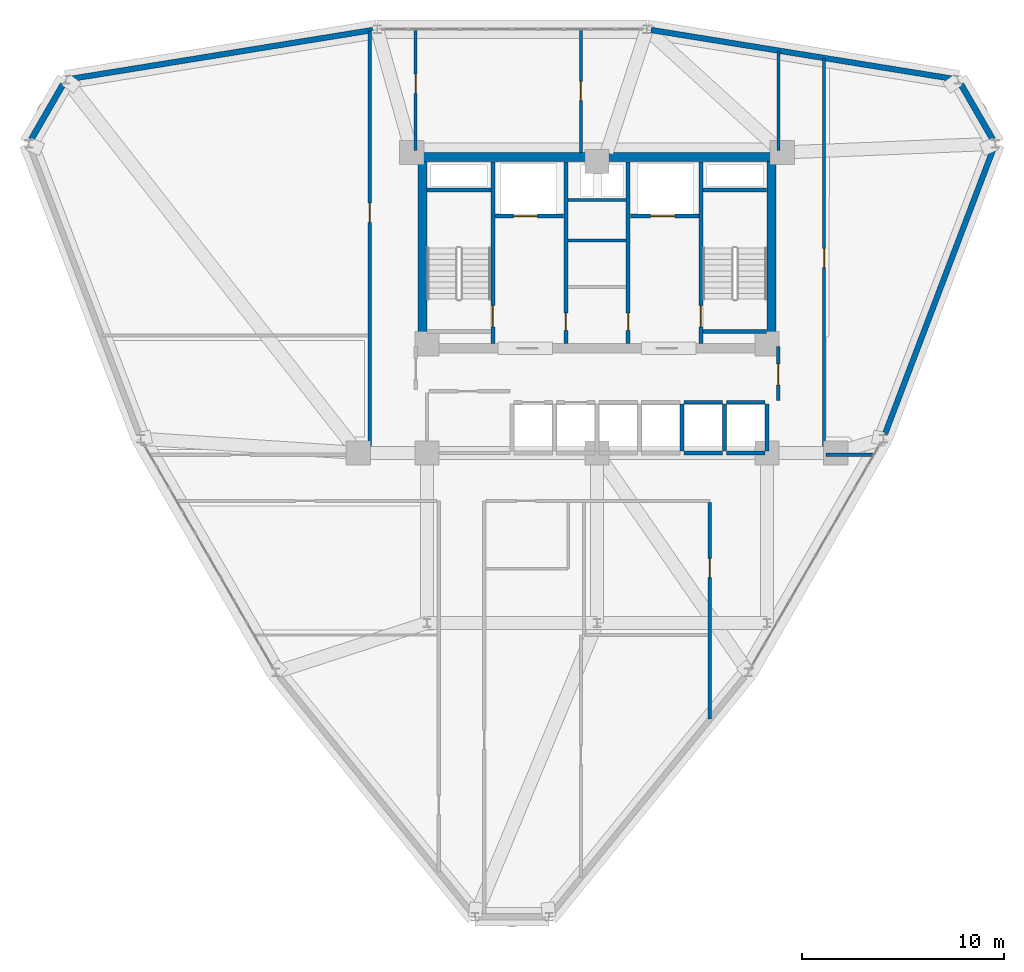
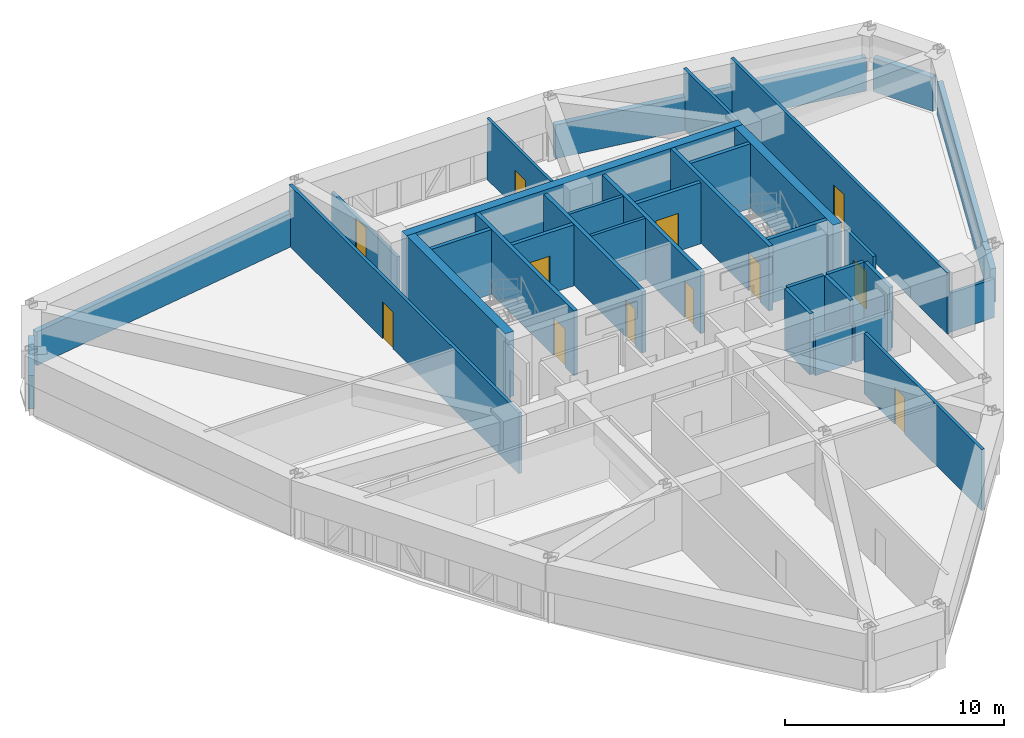
# One storey, part 13 of 16: 34 walls, 12 doors, 12 openings.
"""IFC4 building model written with IfcOpenShell, lengths in metres."""

from ifc_helpers import new_model, si_unit, derived_unit, direction, frame, frame_2d, origin, place, context, subcontext, project, spatial, rectangle, extrude, material, layer, layer_set, type_object, element, fill, save


model = new_model("IFC4")

# Units and contexts
model_context = context("Model", 3, precision=1e-05, world=origin(), true_north=direction((0.0, 1.0)))
body_context = subcontext(model_context, "Body", "Model", "MODEL_VIEW")
ifc_project = project(units=[si_unit("LENGTHUNIT", "METRE"), si_unit("AREAUNIT", "SQUARE_METRE"), si_unit("VOLUMEUNIT", "CUBIC_METRE"), si_unit("PLANEANGLEUNIT", "RADIAN"), si_unit("MASSUNIT", "GRAM", prefix="KILO"), derived_unit("THERMALTRANSMITTANCEUNIT", [(si_unit("POWERUNIT", "WATT"), 1), (si_unit("LENGTHUNIT", "METRE"), -2), (si_unit("THERMODYNAMICTEMPERATUREUNIT", "KELVIN"), -1)])], contexts=[model_context])

# Site, building, storey
site_placement = place(None, origin())
site = spatial("IfcSite", under=ifc_project, at=site_placement, CompositionType="ELEMENT")
building_placement = place(site_placement, origin())
building = spatial("IfcBuilding", under=site, at=building_placement, Name="Korsvarv Bourse and Concert Hall", CompositionType="ELEMENT")
storey_placement = place(building_placement, frame((0.0, 0.0, 143.39990234375)))
storey = spatial("IfcBuildingStorey", under=building, at=storey_placement, Name="L36", CompositionType="ELEMENT", Elevation=143.39990234375)

# Wall, opening, door
ifc_material_1 = material(Name="Concrete C50/60", Category="concrete")
ifc_layer_1 = layer(ifc_material_1, 0.3798828125)
ifc_layer_set_1 = layer_set([ifc_layer_1], Name="Concrete C50/60")
wall_type_1 = type_object("IfcWallType", Name="WL-CORE-380", PredefinedType="SHEAR", material=ifc_layer_set_1)
wall_1_placement = place(storey_placement, frame((30.860107421875, 37.81005859375, 0.0), z_axis=(0.0, 0.0, 1.0), x_axis=(0.0, 1.0, 0.0)))
wall_1 = element("IfcWall", 1, at=wall_1_placement, inside=storey, type_object=wall_type_1, Name="L36 stair shaft structural wall W-L36-ST1-E", PredefinedType="SHEAR", context=body_context, shape_type="SweptSolid", body=[
    extrude(rectangle(XDim=8.97998046875, YDim=0.199951171875, at=frame_2d((4.489990234375, 0.0))), origin(), (0.0, 0.0, 1.0), 3.60009765625),
])
opening_1_placement = place(wall_1_placement, frame((0.820068359375, 0.0, 0.0)))
opening_1 = element("IfcOpeningElement", 2, at=opening_1_placement, cuts=wall_1, Name="Opening D-01", PredefinedType="OPENING", context=body_context, shape_type="SweptSolid", body=[
    extrude(rectangle(XDim=1.050048828125, YDim=2.10009765625, at=frame_2d((0.52490234375, 1.050048828125))), frame((0.0, 0.10986328125, 0.0), z_axis=(0.0, -1.0, 0.0), x_axis=(1.0, 0.0, 0.0)), (0.0, 0.0, 1.0), 0.219970703125),
])
ifc_material_2 = material(Name="Steel S355 fire door", Category="steel")
door_type_1 = type_object("IfcDoorType", Name="DR-FD60", OperationType="NOTDEFINED", PredefinedType="DOOR", material=ifc_material_2)
door_1_placement = place(opening_1_placement, origin())
door_1 = element("IfcDoor", 3, at=door_1_placement, inside=storey, type_object=door_type_1, Name="L36 interior door DR-L36-ST1", OperationType="SINGLE_SWING_LEFT", OverallHeight=2.10009765625, OverallWidth=1.050048828125, PredefinedType="DOOR", context=body_context, shape_type="SweptSolid", body=[
    extrude(rectangle(XDim=1.050048828125, YDim=2.10009765625, at=frame_2d((0.52490234375, 1.050048828125))), frame((0.0, 0.02490234375, 0.0), z_axis=(0.0, -1.0, 0.0), x_axis=(1.0, 0.0, 0.0)), (0.0, 0.0, 1.0), 0.050048828125),
])
fill(opening_1, door_1)

# Wall
wall_2_placement = place(storey_placement, frame((27.610107421875, 45.39990234375, 0.0), z_axis=(0.0, 0.0, 1.0), x_axis=(1.0, 0.0, 0.0)))
element("IfcWall", 4, at=wall_2_placement, inside=storey, type_object=wall_type_1, Name="L36 stair shaft structural wall W-L36-ST1-N", PredefinedType="SHEAR", context=body_context, shape_type="SweptSolid", body=[
    extrude(rectangle(XDim=3.139892578125, YDim=0.199951171875, at=frame_2d((1.56982421875, 0.0))), origin(), (0.0, 0.0, 1.0), 3.60009765625),
])

# Wall, opening, door
wall_3_placement = place(storey_placement, frame((41.139892578125, 37.81005859375, 0.0), z_axis=(0.0, 0.0, 1.0), x_axis=(0.0, 1.0, 0.0)))
wall_3 = element("IfcWall", 5, at=wall_3_placement, inside=storey, type_object=wall_type_1, Name="L36 stair shaft structural wall W-L36-ST2-W", PredefinedType="SHEAR", context=body_context, shape_type="SweptSolid", body=[
    extrude(rectangle(XDim=8.97998046875, YDim=0.199951171875, at=frame_2d((4.489990234375, 0.0))), origin(), (0.0, 0.0, 1.0), 3.60009765625),
])
opening_2_placement = place(wall_3_placement, frame((0.820068359375, 0.0, 0.0)))
opening_2 = element("IfcOpeningElement", 6, at=opening_2_placement, cuts=wall_3, Name="Opening D-01", PredefinedType="OPENING", context=body_context, shape_type="SweptSolid", body=[
    extrude(rectangle(XDim=1.050048828125, YDim=2.10009765625, at=frame_2d((0.52490234375, 1.050048828125))), frame((0.0, 0.10986328125, 0.0), z_axis=(0.0, -1.0, 0.0), x_axis=(1.0, 0.0, 0.0)), (0.0, 0.0, 1.0), 0.219970703125),
])
door_2_placement = place(opening_2_placement, frame((1.050048828125, 0.0, 0.0), z_axis=(0.0, 0.0, 1.0), x_axis=(-1.0, 0.0, 0.0)))
door_2 = element("IfcDoor", 7, at=door_2_placement, inside=storey, type_object=door_type_1, Name="L36 interior door DR-L36-ST2", OperationType="SINGLE_SWING_RIGHT", OverallHeight=2.10009765625, OverallWidth=1.050048828125, PredefinedType="DOOR", context=body_context, shape_type="SweptSolid", body=[
    extrude(rectangle(XDim=1.050048828125, YDim=2.10009765625, at=frame_2d((0.52490234375, 1.050048828125))), frame((0.0, 0.02490234375, 0.0), z_axis=(0.0, -1.0, 0.0), x_axis=(1.0, 0.0, 0.0)), (0.0, 0.0, 1.0), 0.050048828125),
])
fill(opening_2, door_2)

# Walls
for number, where, z_axis, x_axis, name in (
    (8, (41.25, 45.39990234375, 0.0), (0.0, 0.0, 1.0), (1.0, 0.0, 0.0), "L36 stair shaft structural wall W-L36-ST2-N"),
    (9, (41.25, 38.39990234375, 0.0), (0.0, 0.0, 1.0), (1.0, 0.0, 0.0), "L36 stair shaft structural wall W-L36-ST2-S"),
):
    element("IfcWall", number, at=place(storey_placement, frame(where, z_axis=z_axis, x_axis=x_axis)), inside=storey, type_object=wall_type_1, Name=name, PredefinedType="SHEAR", context=body_context, shape_type="SweptSolid", body=[
        extrude(rectangle(XDim=3.139892578125, YDim=0.199951171875, at=frame_2d((1.56982421875, 0.0))), origin(), (0.0, 0.0, 1.0), 3.60009765625),
    ])
ifc_material_3 = material(Name="Concrete C55/67", Category="concrete")
ifc_layer_2 = layer(ifc_material_3, 0.449951171875)
ifc_layer_set_2 = layer_set([ifc_layer_2], Name="Concrete C55/67")
wall_type_2 = type_object("IfcWallType", Name="WL-CORE-450", PredefinedType="SHEAR", material=ifc_layer_set_2)
wall_4_placement = place(storey_placement, frame((27.14990234375, 47.02490234375, 0.0), z_axis=(0.0, 0.0, 1.0), x_axis=(1.0, 0.0, 0.0)))
element("IfcWall", 10, at=wall_4_placement, inside=storey, type_object=wall_type_2, Name="L36 North Core Shear Wall", PredefinedType="SHEAR", context=body_context, shape_type="SweptSolid", body=[
    extrude(rectangle(XDim=17.7001953125, YDim=0.449951171875, at=frame_2d((8.85009765625, 0.0))), origin(), (0.0, 0.0, 1.0), 3.60009765625),
])
for number, where, z_axis, x_axis, name in (
    (11, (27.375, 37.800048828125, 0.0), (0.0, 0.0, 1.0), (0.0, 1.0, 0.0), "L36 West Core Shear Wall"),
    (12, (44.625, 37.800048828125, 0.0), (0.0, 0.0, 1.0), (0.0, 1.0, 0.0), "L36 East Core Shear Wall"),
):
    element("IfcWall", number, at=place(storey_placement, frame(where, z_axis=z_axis, x_axis=x_axis)), inside=storey, type_object=wall_type_2, Name=name, PredefinedType="SHEAR", context=body_context, shape_type="SweptSolid", body=[
        extrude(rectangle(XDim=9.0, YDim=0.449951171875, at=frame_2d((4.5, 0.0))), origin(), (0.0, 0.0, 1.0), 3.60009765625),
    ])
ifc_material_4 = material(Name="Precast concrete C45/55 with terracotta rainscreen", Category="concrete")
ifc_layer_3 = layer(ifc_material_4, 0.300048828125)
ifc_layer_set_3 = layer_set([ifc_layer_3], Name="Precast concrete C45/55 with terracotta rainscreen")
wall_type_3 = type_object("IfcWallType", Name="WL-EXT-TC1", PredefinedType="SOLIDWALL", material=ifc_layer_set_3)
for number, where, z_axis, x_axis, name in (
    (13, (55.5576171875, 47.900390625, 0.0), (0.0, 0.0, 1.0), (-0.499937459732, 0.866061508414, 0.0), "L36 terracotta exterior wall EW-L36-B01"),
    (14, (9.614990234375, 50.62451171875, 0.0), (0.0, 0.0, 1.0), (-0.499995674689, -0.86602790099, 0.0), "L36 terracotta exterior wall EW-L36-B05"),
):
    element("IfcWall", number, at=place(storey_placement, frame(where, z_axis=z_axis, x_axis=x_axis)), inside=storey, type_object=wall_type_3, Name=name, PredefinedType="SOLIDWALL", context=body_context, shape_type="SweptSolid", body=[
        extrude(rectangle(XDim=3.1455078125, YDim=0.300048828125, at=frame_2d((1.57275390625, 0.0))), origin(), (0.0, 0.0, 1.0), 1.8701171875),
    ])
ifc_material_5 = material(Name="Precast concrete C45/55 with fluted terracotta pier", Category="concrete")
ifc_layer_4 = layer(ifc_material_5, 0.280029296875)
ifc_layer_set_4 = layer_set([ifc_layer_4], Name="Precast concrete C45/55 with fluted terracotta pier")
wall_type_4 = type_object("IfcWallType", Name="WL-EXT-TC2", PredefinedType="SOLIDWALL", material=ifc_layer_set_4)
for number, where, z_axis, x_axis, name in (
    (15, (53.6455078125, 50.881103515625, 0.0), (0.0, 0.0, 1.0), (-0.987165905884, 0.159698072185, 0.0), "L36 terracotta exterior wall EW-L36-B02"),
    (16, (24.92529296875, 53.302978515625, 0.0), (0.0, 0.0, 1.0), (-0.987165905884, -0.159698072185, 0.0), "L36 terracotta exterior wall EW-L36-B04"),
):
    element("IfcWall", number, at=place(storey_placement, frame(where, z_axis=z_axis, x_axis=x_axis)), inside=storey, type_object=wall_type_4, Name=name, PredefinedType="SOLIDWALL", context=body_context, shape_type="SweptSolid", body=[
        extrude(rectangle(XDim=15.165283203125, YDim=0.280029296875, at=frame_2d((7.58251953125, 0.0))), origin(), (0.0, 0.0, 1.0), 1.8701171875),
    ])
wall_5_placement = place(storey_placement, frame((50.230712890625, 33.324951171875, 0.0), z_axis=(0.0, 0.0, 1.0), x_axis=(0.355288039197, 0.934756871707, 0.0)))
element("IfcWall", 17, at=wall_5_placement, inside=storey, type_object=wall_type_4, Name="L36 terracotta exterior wall EW-L36-B12", PredefinedType="SOLIDWALL", context=body_context, shape_type="SweptSolid", body=[
    extrude(rectangle(XDim=15.116943359375, YDim=0.280029296875, at=frame_2d((7.55859375, 0.0))), origin(), (0.0, 0.0, 1.0), 1.8701171875),
])

# Wall, opening, door
ifc_material_6 = material(Name="Reinforced concrete blockwork C35/45 fire wall", Category="concrete")
ifc_layer_5 = layer(ifc_material_6, 0.199951171875)
ifc_layer_set_5 = layer_set([ifc_layer_5], Name="Reinforced concrete blockwork C35/45 fire wall")
wall_type_5 = type_object("IfcWallType", Name="WL-INT-EI120", PredefinedType="PARTITIONING", material=ifc_layer_set_5)
wall_6_placement = place(storey_placement, frame((30.969970703125, 44.10009765625, 0.0), z_axis=(0.0, 0.0, 1.0), x_axis=(1.0, 0.0, 0.0)))
wall_6 = element("IfcWall", 18, at=wall_6_placement, inside=storey, type_object=wall_type_5, Name="L36 interior partition wall W-L36-FF1-S", PredefinedType="PARTITIONING", context=body_context, shape_type="SweptSolid", body=[
    extrude(rectangle(XDim=3.380126953125, YDim=0.199951171875, at=frame_2d((1.68994140625, 0.0))), origin(), (0.0, 0.0, 1.0), 3.400146484375),
])
opening_3_placement = place(wall_6_placement, frame((0.89990234375, 0.0, 0.0)))
opening_3 = element("IfcOpeningElement", 19, at=opening_3_placement, cuts=wall_6, Name="Opening LD-1", PredefinedType="OPENING", context=body_context, shape_type="SweptSolid", body=[
    extrude(rectangle(XDim=1.199951171875, YDim=2.10009765625, at=frame_2d((0.60009765625, 1.050048828125))), frame((0.0, 0.10986328125, 0.0), z_axis=(0.0, -1.0, 0.0), x_axis=(1.0, 0.0, 0.0)), (0.0, 0.0, 1.0), 0.219970703125),
])
ifc_material_7 = material(Name="Stainless Steel S355 firefighting lift landing door", Category="steel")
door_type_2 = type_object("IfcDoorType", Name="DR-LIFT-FF", OperationType="DOUBLE_DOOR_SLIDING", PredefinedType="DOOR", material=ifc_material_7)
door_3_placement = place(opening_3_placement, origin())
door_3 = element("IfcDoor", 20, at=door_3_placement, inside=storey, type_object=door_type_2, Name="L36 lift sliding landing door LD-L36-FF1", OperationType="DOUBLE_DOOR_SLIDING", OverallHeight=2.10009765625, OverallWidth=1.199951171875, PredefinedType="DOOR", context=body_context, shape_type="SweptSolid", body=[
    extrude(rectangle(XDim=1.199951171875, YDim=2.10009765625, at=frame_2d((0.60009765625, 1.050048828125))), frame((0.0, 0.02490234375, 0.0), z_axis=(0.0, -1.0, 0.0), x_axis=(1.0, 0.0, 0.0)), (0.0, 0.0, 1.0), 0.050048828125),
])
fill(opening_3, door_3)

wall_7_placement = place(storey_placement, frame((37.64990234375, 44.10009765625, 0.0), z_axis=(0.0, 0.0, 1.0), x_axis=(1.0, 0.0, 0.0)))
wall_7 = element("IfcWall", 21, at=wall_7_placement, inside=storey, type_object=wall_type_5, Name="L36 interior partition wall W-L36-FF2-S", PredefinedType="PARTITIONING", context=body_context, shape_type="SweptSolid", body=[
    extrude(rectangle(XDim=3.380126953125, YDim=0.199951171875, at=frame_2d((1.68994140625, 0.0))), origin(), (0.0, 0.0, 1.0), 3.400146484375),
])
opening_4_placement = place(wall_7_placement, frame((1.0, 0.0, 0.0)))
opening_4 = element("IfcOpeningElement", 22, at=opening_4_placement, cuts=wall_7, Name="Opening LD-1", PredefinedType="OPENING", context=body_context, shape_type="SweptSolid", body=[
    extrude(rectangle(XDim=1.199951171875, YDim=2.10009765625, at=frame_2d((0.60009765625, 1.050048828125))), frame((0.0, 0.10986328125, 0.0), z_axis=(0.0, -1.0, 0.0), x_axis=(1.0, 0.0, 0.0)), (0.0, 0.0, 1.0), 0.219970703125),
])
door_4_placement = place(opening_4_placement, origin())
door_4 = element("IfcDoor", 23, at=door_4_placement, inside=storey, type_object=door_type_2, Name="L36 lift sliding landing door LD-L36-FF2", OperationType="DOUBLE_DOOR_SLIDING", OverallHeight=2.10009765625, OverallWidth=1.199951171875, PredefinedType="DOOR", context=body_context, shape_type="SweptSolid", body=[
    extrude(rectangle(XDim=1.199951171875, YDim=2.10009765625, at=frame_2d((0.60009765625, 1.050048828125))), frame((0.0, 0.02490234375, 0.0), z_axis=(0.0, -1.0, 0.0), x_axis=(1.0, 0.0, 0.0)), (0.0, 0.0, 1.0), 0.050048828125),
])
fill(opening_4, door_4)

wall_8_placement = place(storey_placement, frame((34.4599609375, 37.81005859375, 0.0), z_axis=(0.0, 0.0, 1.0), x_axis=(0.0, 1.0, 0.0)))
wall_8 = element("IfcWall", 24, at=wall_8_placement, inside=storey, type_object=wall_type_5, Name="L36 interior partition wall W-L36-CSB-W", PredefinedType="PARTITIONING", context=body_context, shape_type="SweptSolid", body=[
    extrude(rectangle(XDim=8.97998046875, YDim=0.199951171875, at=frame_2d((4.489990234375, 0.0))), origin(), (0.0, 0.0, 1.0), 3.400146484375),
])
opening_5_placement = place(wall_8_placement, frame((0.64990234375, 0.0, 0.0)))
opening_5 = element("IfcOpeningElement", 25, at=opening_5_placement, cuts=wall_8, Name="Opening D-05", PredefinedType="OPENING", context=body_context, shape_type="SweptSolid", body=[
    extrude(rectangle(XDim=0.85009765625, YDim=2.050048828125, at=frame_2d((0.425048828125, 1.02490234375))), frame((0.0, 0.10986328125, 0.0), z_axis=(0.0, -1.0, 0.0), x_axis=(1.0, 0.0, 0.0)), (0.0, 0.0, 1.0), 0.219970703125),
])
door_type_3 = type_object("IfcDoorType", Name="DR-FD60-850X2050", OperationType="NOTDEFINED", PredefinedType="DOOR", material=ifc_material_2)
door_5_placement = place(opening_5_placement, frame((0.85009765625, 0.0, 0.0), z_axis=(0.0, 0.0, 1.0), x_axis=(-1.0, 0.0, 0.0)))
door_5 = element("IfcDoor", 26, at=door_5_placement, inside=storey, type_object=door_type_3, Name="L36 interior door DR-L36-CSB1", OperationType="SINGLE_SWING_LEFT", OverallHeight=2.050048828125, OverallWidth=0.85009765625, PredefinedType="DOOR", context=body_context, shape_type="SweptSolid", body=[
    extrude(rectangle(XDim=0.85009765625, YDim=2.050048828125, at=frame_2d((0.425048828125, 1.02490234375))), frame((0.0, 0.02490234375, 0.0), z_axis=(0.0, -1.0, 0.0), x_axis=(1.0, 0.0, 0.0)), (0.0, 0.0, 1.0), 0.050048828125),
])
fill(opening_5, door_5)

wall_9_placement = place(storey_placement, frame((37.5400390625, 37.81005859375, 0.0), z_axis=(0.0, 0.0, 1.0), x_axis=(0.0, 1.0, 0.0)))
wall_9 = element("IfcWall", 27, at=wall_9_placement, inside=storey, type_object=wall_type_5, Name="L36 interior partition wall W-L36-CSB-E", PredefinedType="PARTITIONING", context=body_context, shape_type="SweptSolid", body=[
    extrude(rectangle(XDim=8.97998046875, YDim=0.199951171875, at=frame_2d((4.489990234375, 0.0))), origin(), (0.0, 0.0, 1.0), 3.400146484375),
])
opening_6_placement = place(wall_9_placement, frame((0.64990234375, 0.0, 0.0)))
opening_6 = element("IfcOpeningElement", 28, at=opening_6_placement, cuts=wall_9, Name="Opening D-05", PredefinedType="OPENING", context=body_context, shape_type="SweptSolid", body=[
    extrude(rectangle(XDim=0.85009765625, YDim=2.050048828125, at=frame_2d((0.425048828125, 1.02490234375))), frame((0.0, 0.10986328125, 0.0), z_axis=(0.0, -1.0, 0.0), x_axis=(1.0, 0.0, 0.0)), (0.0, 0.0, 1.0), 0.219970703125),
])
door_6_placement = place(opening_6_placement, origin())
door_6 = element("IfcDoor", 29, at=door_6_placement, inside=storey, type_object=door_type_3, Name="L36 interior door DR-L36-CSB2", OperationType="SINGLE_SWING_RIGHT", OverallHeight=2.050048828125, OverallWidth=0.85009765625, PredefinedType="DOOR", context=body_context, shape_type="SweptSolid", body=[
    extrude(rectangle(XDim=0.85009765625, YDim=2.050048828125, at=frame_2d((0.425048828125, 1.02490234375))), frame((0.0, 0.02490234375, 0.0), z_axis=(0.0, -1.0, 0.0), x_axis=(1.0, 0.0, 0.0)), (0.0, 0.0, 1.0), 0.050048828125),
])
fill(opening_6, door_6)

# Walls
ifc_material_8 = material(Name="Double-stud fire-rated acoustic partition", Category="gypsum")
ifc_layer_6 = layer(ifc_material_8, 0.159912109375)
ifc_layer_set_6 = layer_set([ifc_layer_6], Name="Double-stud fire-rated acoustic partition")
wall_type_6 = type_object("IfcWallType", Name="WL-INT-EI60", PredefinedType="PARTITIONING", material=ifc_layer_set_6)
for number, where, z_axis, x_axis, name in (
    (30, (34.570068359375, 42.89990234375, 0.0), (0.0, 0.0, 1.0), (1.0, 0.0, 0.0), "L36 interior partition wall W-L36-K2"),
    (31, (34.570068359375, 44.89990234375, 0.0), (0.0, 0.0, 1.0), (1.0, 0.0, 0.0), "L36 interior partition wall W-L36-K3"),
):
    element("IfcWall", number, at=place(storey_placement, frame(where, z_axis=z_axis, x_axis=x_axis)), inside=storey, type_object=wall_type_6, Name=name, PredefinedType="PARTITIONING", context=body_context, shape_type="SweptSolid", body=[
        extrude(rectangle(XDim=2.85986328125, YDim=0.159912109375, at=frame_2d((1.429931640625, 0.0))), origin(), (0.0, 0.0, 1.0), 3.400146484375),
    ])

# Wall, opening, door
wall_10_placement = place(storey_placement, frame((44.9599609375, 35.0, 0.0), z_axis=(0.0, 0.0, 1.0), x_axis=(0.0, 1.0, 0.0)))
wall_10 = element("IfcWall", 32, at=wall_10_placement, inside=storey, type_object=wall_type_6, Name="L36 interior partition wall W-L36-LOB-E", PredefinedType="PARTITIONING", context=body_context, shape_type="SweptSolid", body=[
    extrude(rectangle(XDim=2.64990234375, YDim=0.159912109375, at=frame_2d((1.324951171875, 0.0))), origin(), (0.0, 0.0, 1.0), 3.400146484375),
])
opening_7_placement = place(wall_10_placement, frame((0.75, 0.0, 0.0)))
opening_7 = element("IfcOpeningElement", 33, at=opening_7_placement, cuts=wall_10, Name="Opening D-01", PredefinedType="OPENING", context=body_context, shape_type="SweptSolid", body=[
    extrude(rectangle(XDim=1.050048828125, YDim=2.10009765625, at=frame_2d((0.52490234375, 1.050048828125))), frame((0.0, 0.08984375, 0.0), z_axis=(0.0, -1.0, 0.0), x_axis=(1.0, 0.0, 0.0)), (0.0, 0.0, 1.0), 0.179931640625),
])
door_7_placement = place(opening_7_placement, origin())
door_7 = element("IfcDoor", 34, at=door_7_placement, inside=storey, type_object=door_type_1, Name="L36 interior door DR-L36-LOBE", OperationType="SINGLE_SWING_LEFT", OverallHeight=2.10009765625, OverallWidth=1.050048828125, PredefinedType="DOOR", context=body_context, shape_type="SweptSolid", body=[
    extrude(rectangle(XDim=1.050048828125, YDim=2.10009765625, at=frame_2d((0.52490234375, 1.050048828125))), frame((0.0, 0.02490234375, 0.0), z_axis=(0.0, -1.0, 0.0), x_axis=(1.0, 0.0, 0.0)), (0.0, 0.0, 1.0), 0.050048828125),
])
fill(opening_7, door_7)

wall_11_placement = place(storey_placement, frame((24.77490234375, 32.31005859375, 0.0), z_axis=(0.0, 0.0, 1.0), x_axis=(0.0, 1.0, 0.0)))
wall_11 = element("IfcWall", 35, at=wall_11_placement, inside=storey, type_object=wall_type_6, Name="L36 interior partition wall W-L36-TCOR-01", PredefinedType="PARTITIONING", context=body_context, shape_type="SweptSolid", body=[
    extrude(rectangle(XDim=20.948486328125, YDim=0.159912109375, at=frame_2d((10.47412109375, 0.0))), origin(), (0.0, 0.0, 1.0), 3.400146484375),
])
opening_8_placement = place(wall_11_placement, frame((11.48828125, 0.0, 0.0)))
opening_8 = element("IfcOpeningElement", 36, at=opening_8_placement, cuts=wall_11, Name="Opening D-02", PredefinedType="OPENING", context=body_context, shape_type="SweptSolid", body=[
    extrude(rectangle(XDim=0.949951171875, YDim=2.050048828125, at=frame_2d((0.47509765625, 1.02490234375))), frame((0.0, 0.08984375, 0.0), z_axis=(0.0, -1.0, 0.0), x_axis=(1.0, 0.0, 0.0)), (0.0, 0.0, 1.0), 0.179931640625),
])
ifc_material_9 = material(Name="Timber and steel acoustic fire door", Category="wood")
door_type_4 = type_object("IfcDoorType", Name="DR-FD30", OperationType="NOTDEFINED", PredefinedType="DOOR", material=ifc_material_9)
door_8_placement = place(opening_8_placement, origin())
door_8 = element("IfcDoor", 37, at=door_8_placement, inside=storey, type_object=door_type_4, Name="L36 interior door DR-L36-TCOR-MI710", OperationType="SINGLE_SWING_RIGHT", OverallHeight=2.050048828125, OverallWidth=0.949951171875, PredefinedType="DOOR", context=body_context, shape_type="SweptSolid", body=[
    extrude(rectangle(XDim=0.949951171875, YDim=2.050048828125, at=frame_2d((0.47509765625, 1.02490234375))), frame((0.0, 0.02490234375, 0.0), z_axis=(0.0, -1.0, 0.0), x_axis=(1.0, 0.0, 0.0)), (0.0, 0.0, 1.0), 0.050048828125),
])
fill(opening_8, door_8)

wall_12_placement = place(storey_placement, frame((47.22509765625, 32.159912109375, 0.0), z_axis=(0.0, 0.0, 1.0), x_axis=(0.0, 1.0, 0.0)))
wall_12 = element("IfcWall", 38, at=wall_12_placement, inside=storey, type_object=wall_type_6, Name="L36 interior partition wall W-L36-TCOR-03", PredefinedType="PARTITIONING", context=body_context, shape_type="SweptSolid", body=[
    extrude(rectangle(XDim=19.73974609375, YDim=0.159912109375, at=frame_2d((9.869873046875, 0.0))), origin(), (0.0, 0.0, 1.0), 3.400146484375),
])
opening_9_placement = place(wall_12_placement, frame((9.39501953125, 0.0, 0.0)))
opening_9 = element("IfcOpeningElement", 39, at=opening_9_placement, cuts=wall_12, Name="Opening D-02", PredefinedType="OPENING", context=body_context, shape_type="SweptSolid", body=[
    extrude(rectangle(XDim=0.949951171875, YDim=2.050048828125, at=frame_2d((0.47509765625, 1.02490234375))), frame((0.0, 0.08984375, 0.0), z_axis=(0.0, -1.0, 0.0), x_axis=(1.0, 0.0, 0.0)), (0.0, 0.0, 1.0), 0.179931640625),
])
door_9_placement = place(opening_9_placement, origin())
door_9 = element("IfcDoor", 40, at=door_9_placement, inside=storey, type_object=door_type_4, Name="L36 interior door DR-L36-TCOR-MI81", OperationType="SINGLE_SWING_RIGHT", OverallHeight=2.050048828125, OverallWidth=0.949951171875, PredefinedType="DOOR", context=body_context, shape_type="SweptSolid", body=[
    extrude(rectangle(XDim=0.949951171875, YDim=2.050048828125, at=frame_2d((0.47509765625, 1.02490234375))), frame((0.0, 0.02490234375, 0.0), z_axis=(0.0, -1.0, 0.0), x_axis=(1.0, 0.0, 0.0)), (0.0, 0.0, 1.0), 0.050048828125),
])
fill(opening_9, door_9)

wall_13_placement = place(storey_placement, frame((41.574951171875, 19.24072265625, 0.0), z_axis=(0.0, 0.0, 1.0), x_axis=(0.0, 1.0, 0.0)))
wall_13 = element("IfcWall", 41, at=wall_13_placement, inside=storey, type_object=wall_type_6, Name="L36 interior partition wall W-L36-TCOR-08", PredefinedType="PARTITIONING", context=body_context, shape_type="SweptSolid", body=[
    extrude(rectangle(XDim=10.702392578125, YDim=0.159912109375, at=frame_2d((5.35107421875, 0.0))), origin(), (0.0, 0.0, 1.0), 3.400146484375),
])
opening_10_placement = place(wall_13_placement, frame((7.001953125, 0.0, 0.0)))
opening_10 = element("IfcOpeningElement", 42, at=opening_10_placement, cuts=wall_13, Name="Opening D-02", PredefinedType="OPENING", context=body_context, shape_type="SweptSolid", body=[
    extrude(rectangle(XDim=0.949951171875, YDim=2.050048828125, at=frame_2d((0.47509765625, 1.02490234375))), frame((0.0, 0.08984375, 0.0), z_axis=(0.0, -1.0, 0.0), x_axis=(1.0, 0.0, 0.0)), (0.0, 0.0, 1.0), 0.179931640625),
])
door_10_placement = place(opening_10_placement, origin())
door_10 = element("IfcDoor", 43, at=door_10_placement, inside=storey, type_object=door_type_4, Name="L36 interior door DR-L36-TCOR-MI26", OperationType="SINGLE_SWING_LEFT", OverallHeight=2.050048828125, OverallWidth=0.949951171875, PredefinedType="DOOR", context=body_context, shape_type="SweptSolid", body=[
    extrude(rectangle(XDim=0.949951171875, YDim=2.050048828125, at=frame_2d((0.47509765625, 1.02490234375))), frame((0.0, 0.02490234375, 0.0), z_axis=(0.0, -1.0, 0.0), x_axis=(1.0, 0.0, 0.0)), (0.0, 0.0, 1.0), 0.050048828125),
])
fill(opening_10, door_10)

wall_14_placement = place(storey_placement, frame((27.034912109375, 47.340087890625, 0.0), z_axis=(0.0, 0.0, 1.0), x_axis=(0.0, 1.0, 0.0)))
wall_14 = element("IfcWall", 44, at=wall_14_placement, inside=storey, type_object=wall_type_6, Name="L36 interior partition wall W-L36-TCOR-09", PredefinedType="PARTITIONING", context=body_context, shape_type="SweptSolid", body=[
    extrude(rectangle(XDim=5.976806640625, YDim=0.159912109375, at=frame_2d((2.98828125, 0.0))), origin(), (0.0, 0.0, 1.0), 2.16015625),
])
opening_11_placement = place(wall_14_placement, frame((2.826904296875, 0.0, 0.0)))
opening_11 = element("IfcOpeningElement", 45, at=opening_11_placement, cuts=wall_14, Name="Opening D-02", PredefinedType="OPENING", context=body_context, shape_type="SweptSolid", body=[
    extrude(rectangle(XDim=0.949951171875, YDim=2.050048828125, at=frame_2d((0.47509765625, 1.02490234375))), frame((0.0, 0.08984375, 0.0), z_axis=(0.0, -1.0, 0.0), x_axis=(1.0, 0.0, 0.0)), (0.0, 0.0, 1.0), 0.179931640625),
])
door_11_placement = place(opening_11_placement, origin())
door_11 = element("IfcDoor", 46, at=door_11_placement, inside=storey, type_object=door_type_4, Name="L36 interior door DR-L36-TCOR-RM22", OperationType="SINGLE_SWING_RIGHT", OverallHeight=2.050048828125, OverallWidth=0.949951171875, PredefinedType="DOOR", context=body_context, shape_type="SweptSolid", body=[
    extrude(rectangle(XDim=0.949951171875, YDim=2.050048828125, at=frame_2d((0.47509765625, 1.02490234375))), frame((0.0, 0.02490234375, 0.0), z_axis=(0.0, -1.0, 0.0), x_axis=(1.0, 0.0, 0.0)), (0.0, 0.0, 1.0), 0.050048828125),
])
fill(opening_11, door_11)

# Walls
wall_15_placement = place(storey_placement, frame((44.965087890625, 47.340087890625, 0.0), z_axis=(0.0, 0.0, 1.0), x_axis=(0.0, 1.0, 0.0)))
element("IfcWall", 47, at=wall_15_placement, inside=storey, type_object=wall_type_6, Name="L36 interior partition wall W-L36-TCOR-10", PredefinedType="PARTITIONING", context=body_context, shape_type="SweptSolid", body=[
    extrude(rectangle(XDim=4.92529296875, YDim=0.159912109375, at=frame_2d((2.462646484375, 0.0))), origin(), (0.0, 0.0, 1.0), 3.400146484375),
])
wall_16_placement = place(storey_placement, frame((47.306884765625, 32.31494140625, 0.0), z_axis=(0.0, 0.0, 1.0), x_axis=(1.0, 0.0, 0.0)))
element("IfcWall", 48, at=wall_16_placement, inside=storey, type_object=wall_type_6, Name="L36 interior partition wall W-L36-TCOR-11", PredefinedType="PARTITIONING", context=body_context, shape_type="SweptSolid", body=[
    extrude(rectangle(XDim=2.364501953125, YDim=0.159912109375, at=frame_2d((1.18212890625, 0.0))), origin(), (0.0, 0.0, 1.0), 2.16015625),
])
ifc_material_10 = material(Name="Gypsum-clad autoclaved concrete shaft wall C30/37", Category="concrete")
ifc_layer_7 = layer(ifc_material_10, 0.179931640625)
ifc_layer_set_7 = layer_set([ifc_layer_7], Name="Gypsum-clad autoclaved concrete shaft wall C30/37")
wall_type_7 = type_object("IfcWallType", Name="WL-INT-EI90", PredefinedType="PARTITIONING", material=ifc_layer_set_7)
wall_17_placement = place(storey_placement, frame((40.2900390625, 34.89990234375, 0.0), z_axis=(0.0, 0.0, 1.0), x_axis=(1.0, 0.0, 0.0)))
element("IfcWall", 49, at=wall_17_placement, inside=storey, type_object=wall_type_7, Name="L36 interior partition wall W-L36-SHFN-PO1", PredefinedType="PARTITIONING", context=body_context, shape_type="SweptSolid", body=[
    extrude(rectangle(XDim=1.919921875, YDim=0.179931640625, at=frame_2d((0.9599609375, 0.0))), origin(), (0.0, 0.0, 1.0), 3.400146484375),
])
wall_18_placement = place(storey_placement, frame((40.2900390625, 32.39990234375, 0.0), z_axis=(0.0, 0.0, 1.0), x_axis=(1.0, 0.0, 0.0)))
element("IfcWall", 50, at=wall_18_placement, inside=storey, type_object=wall_type_7, Name="L36 interior partition wall W-L36-SHFS-PO1", PredefinedType="PARTITIONING", context=body_context, shape_type="SweptSolid", body=[
    extrude(rectangle(XDim=1.919921875, YDim=0.179931640625, at=frame_2d((0.9599609375, 0.0))), origin(), (0.0, 0.0, 1.0), 2.16015625),
])
wall_19_placement = place(storey_placement, frame((40.199951171875, 32.489990234375, 0.0), z_axis=(0.0, 0.0, 1.0), x_axis=(0.0, 1.0, 0.0)))
element("IfcWall", 51, at=wall_19_placement, inside=storey, type_object=wall_type_7, Name="L36 interior partition wall W-L36-SHFW-PO1", PredefinedType="PARTITIONING", context=body_context, shape_type="SweptSolid", body=[
    extrude(rectangle(XDim=2.320068359375, YDim=0.179931640625, at=frame_2d((1.16015625, 0.0))), origin(), (0.0, 0.0, 1.0), 3.400146484375),
])
wall_20_placement = place(storey_placement, frame((42.389892578125, 34.89990234375, 0.0), z_axis=(0.0, 0.0, 1.0), x_axis=(1.0, 0.0, 0.0)))
element("IfcWall", 52, at=wall_20_placement, inside=storey, type_object=wall_type_7, Name="L36 interior partition wall W-L36-SHFN-PO2", PredefinedType="PARTITIONING", context=body_context, shape_type="SweptSolid", body=[
    extrude(rectangle(XDim=1.920166015625, YDim=0.179931640625, at=frame_2d((0.9599609375, 0.0))), origin(), (0.0, 0.0, 1.0), 3.400146484375),
])
wall_21_placement = place(storey_placement, frame((42.389892578125, 32.39990234375, 0.0), z_axis=(0.0, 0.0, 1.0), x_axis=(1.0, 0.0, 0.0)))
element("IfcWall", 53, at=wall_21_placement, inside=storey, type_object=wall_type_7, Name="L36 interior partition wall W-L36-SHFS-PO2", PredefinedType="PARTITIONING", context=body_context, shape_type="SweptSolid", body=[
    extrude(rectangle(XDim=1.920166015625, YDim=0.179931640625, at=frame_2d((0.9599609375, 0.0))), origin(), (0.0, 0.0, 1.0), 2.16015625),
])
for number, where, z_axis, x_axis, name in (
    (54, (42.300048828125, 32.489990234375, 0.0), (0.0, 0.0, 1.0), (0.0, 1.0, 0.0), "L36 interior partition wall W-L36-SHFW-PO2"),
    (55, (44.39990234375, 32.489990234375, 0.0), (0.0, 0.0, 1.0), (0.0, 1.0, 0.0), "L36 interior partition wall W-L36-SHFE-END"),
):
    element("IfcWall", number, at=place(storey_placement, frame(where, z_axis=z_axis, x_axis=x_axis)), inside=storey, type_object=wall_type_7, Name=name, PredefinedType="PARTITIONING", context=body_context, shape_type="SweptSolid", body=[
        extrude(rectangle(XDim=2.320068359375, YDim=0.179931640625, at=frame_2d((1.16015625, 0.0))), origin(), (0.0, 0.0, 1.0), 3.400146484375),
    ])

# Wall, opening, door
ifc_material_11 = material(Name="Insulated steel-stud office acoustic partition", Category="gypsum")
ifc_layer_8 = layer(ifc_material_11, 0.139892578125)
ifc_layer_set_8 = layer_set([ifc_layer_8], Name="Insulated steel-stud office acoustic partition")
wall_type_8 = type_object("IfcWallType", Name="WL-INT-P1", PredefinedType="PARTITIONING", material=ifc_layer_set_8)
wall_22_placement = place(storey_placement, frame((35.205078125, 47.251953125, 0.0), z_axis=(0.0, 0.0, 1.0), x_axis=(0.0, 1.0, 0.0)))
wall_22 = element("IfcWall", 56, at=wall_22_placement, inside=storey, type_object=wall_type_8, Name="L36 interior partition wall W-L36-TCOR-17", PredefinedType="PARTITIONING", context=body_context, shape_type="SweptSolid", body=[
    extrude(rectangle(XDim=6.06494140625, YDim=0.139892578125, at=frame_2d((3.032470703125, 0.0))), origin(), (0.0, 0.0, 1.0), 3.400146484375),
])
opening_12_placement = place(wall_22_placement, frame((2.5576171875, 0.0, 0.0)))
opening_12 = element("IfcOpeningElement", 57, at=opening_12_placement, cuts=wall_22, Name="Opening D-03", PredefinedType="OPENING", context=body_context, shape_type="SweptSolid", body=[
    extrude(rectangle(XDim=0.949951171875, YDim=2.050048828125, at=frame_2d((0.47509765625, 1.02490234375))), frame((0.0, 0.080078125, 0.0), z_axis=(0.0, -1.0, 0.0), x_axis=(1.0, 0.0, 0.0)), (0.0, 0.0, 1.0), 0.159912109375),
])
ifc_material_12 = material(Name="Nordic oak acoustic office door", Category="wood")
door_type_5 = type_object("IfcDoorType", Name="DR-INT-1", OperationType="NOTDEFINED", PredefinedType="DOOR", material=ifc_material_12)
door_12_placement = place(opening_12_placement, origin())
door_12 = element("IfcDoor", 58, at=door_12_placement, inside=storey, type_object=door_type_5, Name="L36 interior door DR-L36-TCOR-RM33", OperationType="SINGLE_SWING_RIGHT", OverallHeight=2.050048828125, OverallWidth=0.949951171875, PredefinedType="DOOR", context=body_context, shape_type="SweptSolid", body=[
    extrude(rectangle(XDim=0.949951171875, YDim=2.050048828125, at=frame_2d((0.47509765625, 1.02490234375))), frame((0.0, 0.02490234375, 0.0), z_axis=(0.0, -1.0, 0.0), x_axis=(1.0, 0.0, 0.0)), (0.0, 0.0, 1.0), 0.050048828125),
])
fill(opening_12, door_12)

save(model, "model.ifc")
